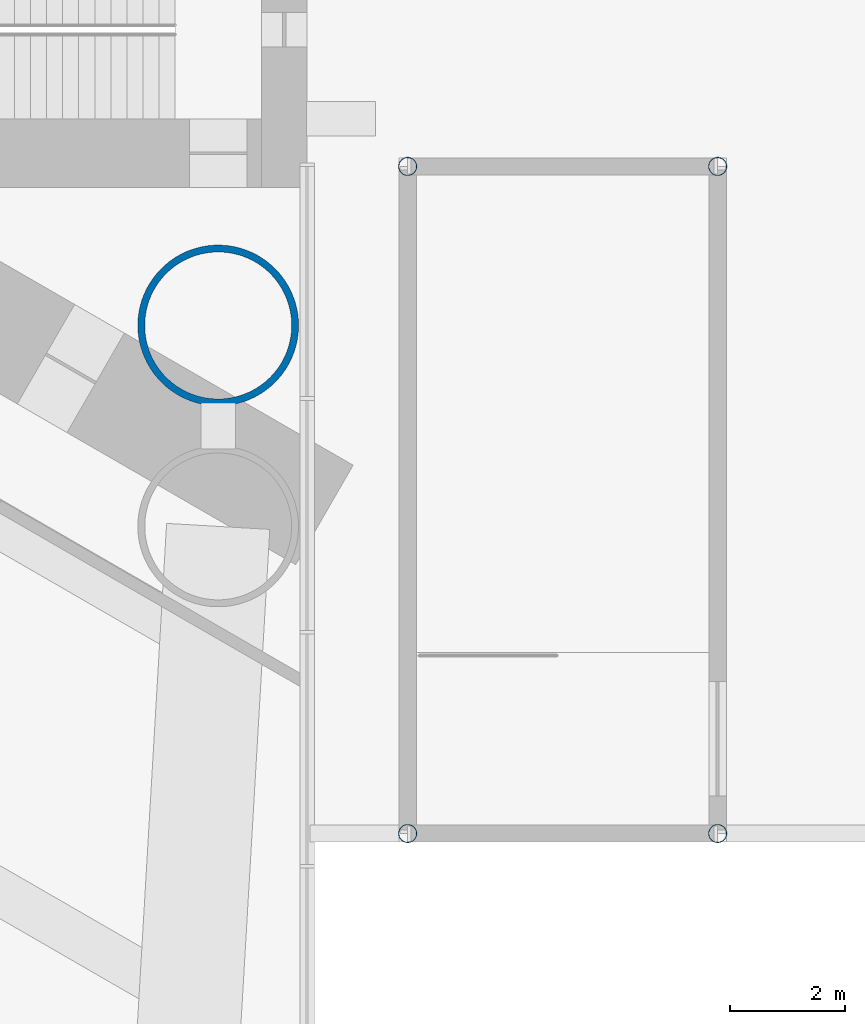
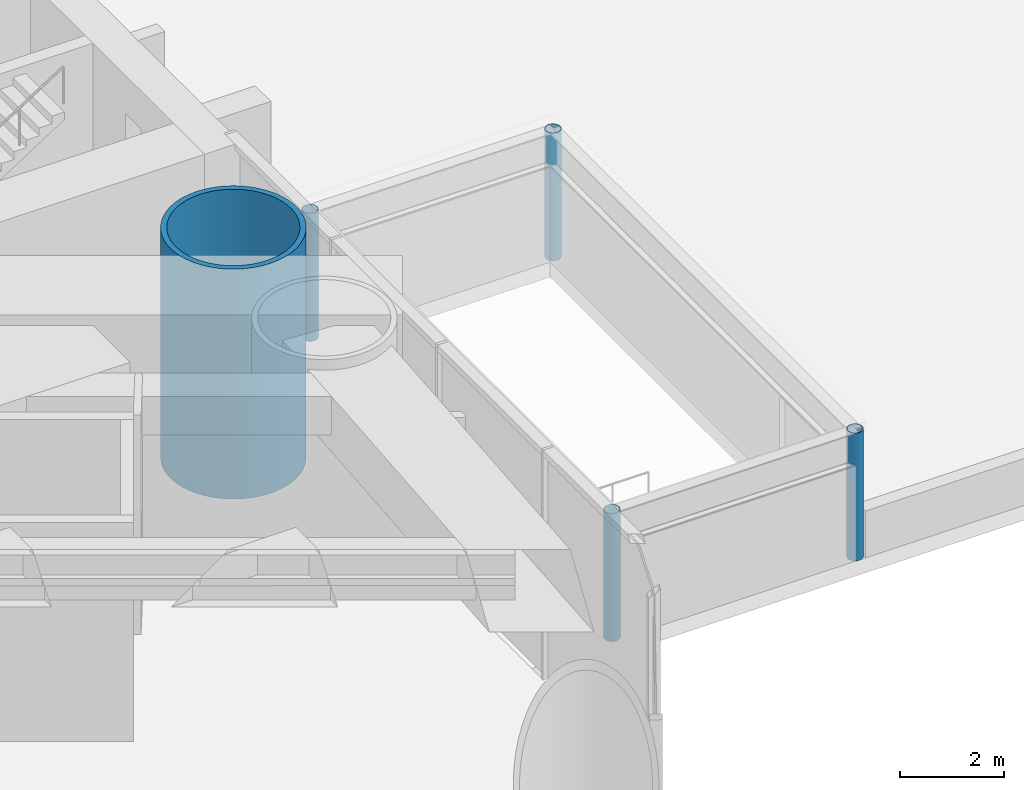
# One storey, part 2 of 23: 5 columns.
"""IFC4 building model written with IfcOpenShell, lengths in metres."""

import ifcopenshell
import ifcopenshell.guid

model = None  # the IFC model being written
_history = None  # IfcOwnerHistory: only IFC2X3 demands one
_inside = {}  # id of a spatial element -> (the spatial element, [elements in it])
_under = {}  # id of a project, library or spatial element -> (it, [spatial elements below it])
_declared = {}  # id of a project -> (the project, [libraries it declares])
_typed = {}  # id of a type object -> (the type object, [elements of that type])
_made_of = {}  # id of a material, layer set ... -> (it, [elements and type objects made of it])


def new_model(schema):
    """Start an empty IFC model of exactly this schema.

    Asked for "IFC4X3", IfcOpenShell would pick the latest addendum, in which some entities
    have other attributes; the version numbers below select the first issue.
    IFC2X3 requires an IfcOwnerHistory on every rooted entity: one is made here for all.
    """
    global model, _history
    if schema == "IFC4X3":
        model = ifcopenshell.file(schema_version=(4, 3, 0, 0))
    else:
        model = ifcopenshell.file(schema=schema)
    _inside.clear()
    _under.clear()
    _declared.clear()
    _typed.clear()
    _made_of.clear()
    _history = None
    if model.schema == "IFC2X3":
        org = make("IfcOrganization", Name="unknown")
        user = make(
            "IfcPersonAndOrganization",
            ThePerson=make("IfcPerson", FamilyName="unknown"),
            TheOrganization=org,
        )
        app = make(
            "IfcApplication",
            ApplicationDeveloper=org,
            Version="unknown",
            ApplicationFullName="unknown",
            ApplicationIdentifier="unknown",
        )
        _history = make(
            "IfcOwnerHistory",
            OwningUser=user,
            OwningApplication=app,
            ChangeAction="ADDED",
            CreationDate=0,
        )
    return model


def make(cls, **values):
    """One entity of the class cls with the attributes given. An attribute that is None is left unset."""
    return model.create_entity(
        cls, **{name: value for name, value in values.items() if value is not None}
    )


def rooted(cls, **values):
    """An entity with a GlobalId (a new one), such as an element, a storey or a relation."""
    return make(cls, GlobalId=ifcopenshell.guid.new(), OwnerHistory=_history, **values)


def si_unit(unit_type, name, prefix=None):
    """IfcSIUnit, for example si_unit("LENGTHUNIT", "METRE", prefix="MILLI")."""
    return make("IfcSIUnit", UnitType=unit_type, Prefix=prefix, Name=name)


def assignment(units):
    """IfcUnitAssignment: the units of a project."""
    return None if units is None else make("IfcUnitAssignment", Units=units)


def point(xyz):
    """IfcCartesianPoint."""
    return None if xyz is None else make("IfcCartesianPoint", Coordinates=xyz)


def direction(xyz):
    """IfcDirection."""
    return None if xyz is None else make("IfcDirection", DirectionRatios=xyz)


def frame(location, z_axis=None, x_axis=None):
    """IfcAxis2Placement3D, a coordinate frame: its origin and axes. An axis left out is left unset."""
    return make(
        "IfcAxis2Placement3D",
        Location=point(location),
        Axis=direction(z_axis),
        RefDirection=direction(x_axis),
    )


def frame_2d(location, x_axis=None):
    """IfcAxis2Placement2D, a coordinate frame in the plane: its origin and x axis."""
    return make(
        "IfcAxis2Placement2D", Location=point(location), RefDirection=direction(x_axis)
    )


def origin():
    """The frame at (0, 0, 0) with its axes left unset."""
    return frame((0.0, 0.0, 0.0))


def origin_2d():
    """The frame at (0, 0) in the plane with its x axis left unset."""
    return frame_2d((0.0, 0.0))


def place(relative_to, where):
    """IfcLocalPlacement: puts the frame where relative to a parent placement (None: the world)."""
    return make(
        "IfcLocalPlacement", PlacementRelTo=relative_to, RelativePlacement=where
    )


def context(
    kind, dimensions, precision=None, world=None, true_north=None, identifier=None
):
    """IfcGeometricRepresentationContext, for example the 3D "Model" context."""
    return make(
        "IfcGeometricRepresentationContext",
        ContextIdentifier=identifier,
        ContextType=kind,
        CoordinateSpaceDimension=dimensions,
        Precision=precision,
        WorldCoordinateSystem=world,
        TrueNorth=true_north,
    )


def subcontext(parent, identifier, kind, view, scale=None):
    """IfcGeometricRepresentationSubContext, for example "Body" below "Model"."""
    return make(
        "IfcGeometricRepresentationSubContext",
        ContextIdentifier=identifier,
        ContextType=kind,
        ParentContext=parent,
        TargetScale=scale,
        TargetView=view,
    )


def project(units=None, contexts=None):
    """IfcProject with its units and contexts."""
    return rooted(
        "IfcProject",
        Name="project",
        RepresentationContexts=contexts,
        UnitsInContext=assignment(units),
    )


def spatial(cls, under=None, at=None, **own):
    """A site, building, storey or space (cls), placed at a placement, below another one or the project."""
    s = rooted(cls, ObjectPlacement=at, **own)
    if under is not None:
        _under.setdefault(under.id(), (under, []))[1].append(s)
    return s


def profile(cls, at=None, kind="AREA", **sizes):
    """A parametric profile (cls). Its sizes go by their IFC names, for example OverallWidth=200.0."""
    return make(cls, ProfileType=kind, Position=at, **sizes)


def hollow_circle(**sizes):
    """IfcCircleHollowProfileDef."""
    return profile("IfcCircleHollowProfileDef", **sizes)


def extrude(swept, where, along, depth):
    """IfcExtrudedAreaSolid: the profile swept, set in the frame where, extruded along a direction by depth."""
    return make(
        "IfcExtrudedAreaSolid",
        SweptArea=swept,
        Position=where,
        ExtrudedDirection=direction(along),
        Depth=depth,
    )


def shape(context_of_items, identifier, shape_type, items):
    """IfcShapeRepresentation: the items that make up one representation, for example the "Body"."""
    return make(
        "IfcShapeRepresentation",
        ContextOfItems=context_of_items,
        RepresentationIdentifier=identifier,
        RepresentationType=shape_type,
        Items=items,
    )


def material(Name=None, Category=None):
    """IfcMaterial."""
    return make("IfcMaterial", Name=Name, Category=Category)


def material_profile(
    of_material, cross_section, Name=None, Category=None, Priority=None
):
    """IfcMaterialProfile: a cross section and its material."""
    return make(
        "IfcMaterialProfile",
        Name=Name,
        Material=of_material,
        Profile=cross_section,
        Priority=Priority,
        Category=Category,
    )


def profile_set(profiles, Name=None, composite=None):
    """IfcMaterialProfileSet."""
    return make(
        "IfcMaterialProfileSet",
        Name=Name,
        MaterialProfiles=profiles,
        CompositeProfile=composite,
    )


def made_of(thing, what):
    """Note that an element or type object is made of a material, layer set ...; save() writes the relation."""
    if what is not None:
        _made_of.setdefault(what.id(), (what, []))[1].append(thing)
    return thing


def type_object(cls, material=None, **own):
    """A type object (cls), such as IfcWallType, which elements share."""
    return made_of(rooted(cls, **own), material)


def element(
    cls,
    number,
    at=None,
    inside=None,
    cuts=None,
    type_object=None,
    material=None,
    context=None,
    identifier="Body",
    shape_type=None,
    held_by="IfcProductDefinitionShape",
    body=None,
    shapes=None,
    **own,
):
    """One element of the class cls, such as IfcWall. Its Tag is "e" and its number.

    at: its placement. inside: the storey or other place that contains it. cuts: it is an
    opening in that element (IfcRelVoidsElement). A single representation is given by context,
    identifier, shape_type and body (its items); several are given by shapes. held_by: the class
    of the entity that holds the representations. save() writes the other relations.
    """
    e = rooted(cls, Tag="e%d" % number, ObjectPlacement=at, **own)
    if body is not None:
        shapes = [shape(context, identifier, shape_type, body)]
    if shapes is not None:
        e.Representation = make(held_by, Representations=shapes)
    if inside is not None:
        _inside.setdefault(inside.id(), (inside, []))[1].append(e)
    if cuts is not None:
        rooted(
            "IfcRelVoidsElement", RelatingBuildingElement=cuts, RelatedOpeningElement=e
        )
    if type_object is not None:
        _typed.setdefault(type_object.id(), (type_object, []))[1].append(e)
    return made_of(e, material)


def aggregate(whole, parts):
    """IfcRelAggregates: a whole, such as a stair, and the parts it consists of."""
    return rooted("IfcRelAggregates", RelatingObject=whole, RelatedObjects=parts)


def save(model, path):
    """Write the relations noted so far, then the file.

    IfcRelAggregates (storeys below a building ...), IfcRelContainedInSpatialStructure (elements
    in a storey), IfcRelDefinesByType, IfcRelAssociatesMaterial and IfcRelDeclares: one each for
    every whole, place, type object, material and project.
    """
    for whole, parts in _under.values():
        aggregate(whole, parts)
    for where, things in _inside.values():
        rooted(
            "IfcRelContainedInSpatialStructure",
            RelatedElements=things,
            RelatingStructure=where,
        )
    for kind, things in _typed.values():
        rooted("IfcRelDefinesByType", RelatedObjects=things, RelatingType=kind)
    for what, things in _made_of.values():
        rooted("IfcRelAssociatesMaterial", RelatedObjects=things, RelatingMaterial=what)
    for by, libraries in _declared.values():
        rooted("IfcRelDeclares", RelatingContext=by, RelatedDefinitions=libraries)
    model.write(path)


model = new_model("IFC4")

# Units and contexts
model_context = context("Model", 3, precision=1e-05, world=origin(), true_north=direction((0.0, 1.0)))
body_context = subcontext(model_context, "Body", "Model", "MODEL_VIEW")
ifc_project = project(units=[si_unit("LENGTHUNIT", "METRE"), si_unit("AREAUNIT", "SQUARE_METRE"), si_unit("VOLUMEUNIT", "CUBIC_METRE"), si_unit("PLANEANGLEUNIT", "RADIAN"), si_unit("MASSUNIT", "GRAM", prefix="KILO")], contexts=[model_context])

# Site, building, storey
site_placement = place(None, origin())
site = spatial("IfcSite", under=ifc_project, at=site_placement, CompositionType="ELEMENT")
building_placement = place(site_placement, origin())
building = spatial("IfcBuilding", under=site, at=building_placement, Name="Lancet Gate Hotel", CompositionType="ELEMENT")
storey_placement = place(building_placement, frame((0.0, 0.0, 12.60009765625)))
storey = spatial("IfcBuildingStorey", under=building, at=storey_placement, Name="L02", CompositionType="ELEMENT", Elevation=12.60009765625)

# Columns
ifc_material_1 = material(Name="Composite filled tube, grade 460 plate, grade 80/95 fill", Category="composite")
ifc_material_profile_1 = material_profile(ifc_material_1, hollow_circle(Radius=1.39990234375, WallThickness=0.1201171875, at=origin_2d()), Name="CHS 2800x120")
ifc_profile_set_1 = profile_set([ifc_material_profile_1], Name="Composite filled tube, grade 460 plate, grade 80/95 fill")
column_type_1 = type_object("IfcColumnType", Name="Perimeter column CFT CHS 2800x120", PredefinedType="COLUMN", material=ifc_profile_set_1)
column_placement = place(storey_placement, frame((-29.050048828125, -11.0, 0.0), z_axis=(0.0, 0.0, 1.0), x_axis=(1.0, 0.0, 0.0)))
element("IfcColumn", 1, at=column_placement, inside=storey, type_object=column_type_1, Name="T1 column IN L02", PredefinedType="COLUMN", context=body_context, shape_type="SweptSolid", body=[
    extrude(hollow_circle(Radius=1.39990234375, WallThickness=0.1201171875, at=origin_2d()), origin(), (0.0, 0.0, 1.0), 5.39990234375),
])
ifc_material_2 = material(Name="Steel S355", Category="steel")
ifc_material_profile_2 = material_profile(ifc_material_2, hollow_circle(Radius=0.161865234375, WallThickness=0.012451171875, at=origin_2d()), Name="CHS 323.9x12.5")
ifc_profile_set_2 = profile_set([ifc_material_profile_2], Name="Steel S355")
column_type_2 = type_object("IfcColumnType", Name="Podium head-house column CHS 323.9x12.5", PredefinedType="COLUMN", material=ifc_profile_set_2)
for number, where, z_axis, x_axis, name in (
    (2, (-25.75, -8.22998046875, 0.0), (0.0, 0.0, 1.0), (1.0, 0.0, 0.0), "Podium stair PS6 head-house column IN-W"),
    (3, (-20.35009765625, -8.22998046875, 0.0), (0.0, 0.0, 1.0), (1.0, 0.0, 0.0), "Podium stair PS6 head-house column IN-E"),
    (4, (-25.75, -19.85009765625, 0.0), (0.0, 0.0, 1.0), (1.0, 0.0, 0.0), "Podium stair PS6 head-house column OUT-W"),
    (5, (-20.35009765625, -19.85009765625, 0.0), (0.0, 0.0, 1.0), (1.0, 0.0, 0.0), "Podium stair PS6 head-house column OUT-E"),
):
    element("IfcColumn", number, at=place(storey_placement, frame(where, z_axis=z_axis, x_axis=x_axis)), inside=storey, type_object=column_type_2, Name=name, PredefinedType="COLUMN", context=body_context, shape_type="SweptSolid", body=[
        extrude(hollow_circle(Radius=0.161865234375, WallThickness=0.012451171875, at=origin_2d()), origin(), (0.0, 0.0, 1.0), 3.0),
    ])

save(model, "model.ifc")
